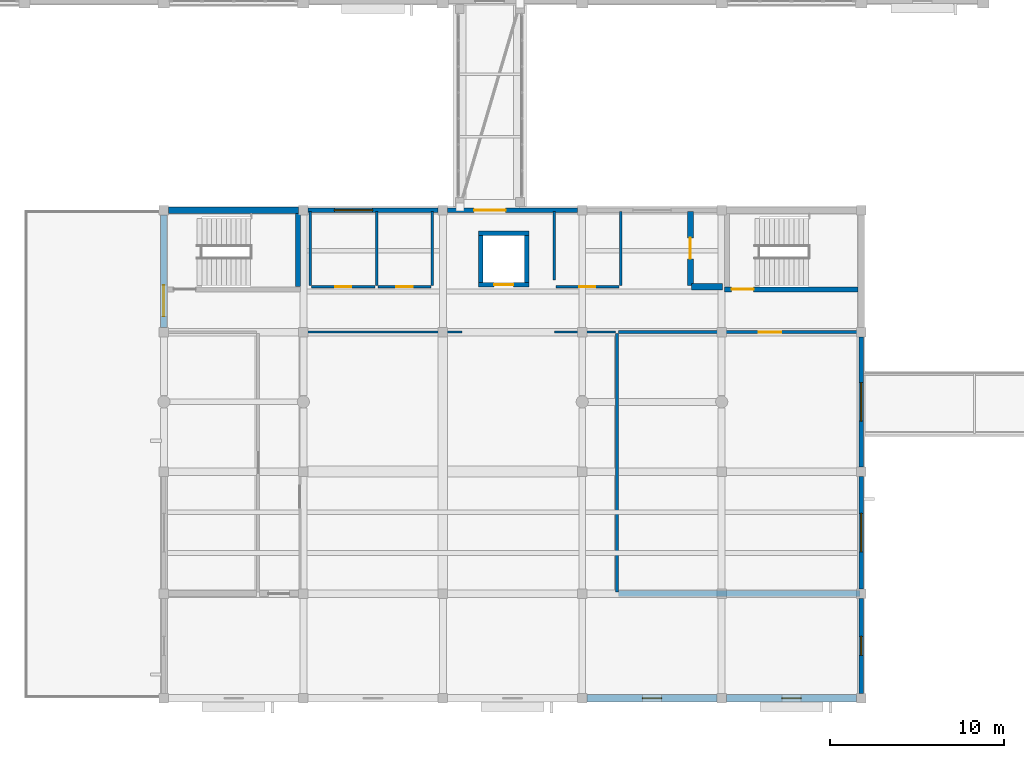
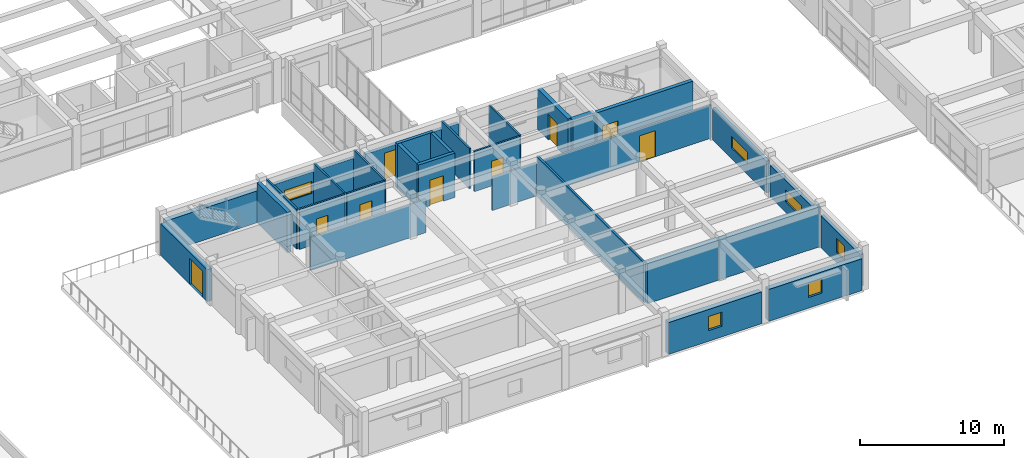
# One storey, part 28 of 42: 30 walls, 9 doors, 6 windows, 15 openings.
"""IFC4 building model written with IfcOpenShell, lengths in metres."""

from ifc_helpers import new_model, si_unit, direction, frame, frame_2d, origin, place, context, subcontext, project, spatial, rectangle, extrude, material, layer, layer_set, type_object, element, fill, save


model = new_model("IFC4")

# Units and contexts
model_context = context("Model", 3, precision=1e-05, world=origin(), true_north=direction((0.0, 1.0)))
body_context = subcontext(model_context, "Body", "Model", "MODEL_VIEW")
ifc_project = project(units=[si_unit("LENGTHUNIT", "METRE"), si_unit("AREAUNIT", "SQUARE_METRE"), si_unit("VOLUMEUNIT", "CUBIC_METRE"), si_unit("PLANEANGLEUNIT", "RADIAN"), si_unit("MASSUNIT", "GRAM", prefix="KILO")], contexts=[model_context])

# Site, building, storey
site_placement = place(None, origin())
site = spatial("IfcSite", under=ifc_project, at=site_placement, CompositionType="ELEMENT")
building_placement = place(site_placement, origin())
building = spatial("IfcBuilding", under=site, at=building_placement, Name="Naurynzar Civic Courthouse", CompositionType="ELEMENT")
storey_placement = place(building_placement, frame((0.0, 0.0, 18.300048828125)))
storey = spatial("IfcBuildingStorey", under=building, at=storey_placement, Name="L05", CompositionType="ELEMENT", Elevation=18.300048828125)

# Wall
ifc_material_1 = material(Name="Concrete C40/50", Category="concrete")
ifc_layer_1 = layer(ifc_material_1, 0.300048828125)
ifc_layer_set_1 = layer_set([ifc_layer_1], Name="WL-CORE-300")
wall_type_1 = type_object("IfcWallType", Name="WL-CORE-300", PredefinedType="SHEAR", material=ifc_layer_set_1)
wall_1_placement = place(storey_placement, frame((84.699951171875, 27.60498046875, 0.0), z_axis=(0.0, 0.0, 1.0), x_axis=(0.0, 1.0, 0.0)))
element("IfcWall", 1, at=wall_1_placement, inside=storey, type_object=wall_type_1, Name="Stair ST-V3A enclosure wall east L05", PredefinedType="SHEAR", context=body_context, shape_type="SweptSolid", body=[
    extrude(rectangle(XDim=4.199951171875, YDim=0.300048828125, at=frame_2d((2.10009765625, 0.0))), origin(), (0.0, 0.0, 1.0), 3.409912109375),
])

# Wall, opening, door
wall_2_placement = place(storey_placement, frame((109.14990234375, 27.449951171875, 0.0), z_axis=(0.0, 0.0, 1.0), x_axis=(1.0, 0.0, 0.0)))
wall_2 = element("IfcWall", 2, at=wall_2_placement, inside=storey, type_object=wall_type_1, Name="Stair ST-V3B enclosure wall south L05", PredefinedType="SHEAR", context=body_context, shape_type="SweptSolid", body=[
    extrude(rectangle(XDim=7.655029296875, YDim=0.300048828125, at=frame_2d((3.82763671875, 0.0))), origin(), (0.0, 0.0, 1.0), 3.409912109375),
])
opening_1_placement = place(wall_2_placement, frame((0.425048828125, 0.0, 0.0)))
opening_1 = element("IfcOpeningElement", 3, at=opening_1_placement, cuts=wall_2, Name="Opening SD-057", PredefinedType="OPENING", context=body_context, shape_type="SweptSolid", body=[
    extrude(rectangle(XDim=1.25, YDim=2.14990234375, at=frame_2d((0.625, 1.074951171875))), frame((0.0, 0.159912109375, 0.0), z_axis=(0.0, -1.0, 0.0), x_axis=(1.0, 0.0, 0.0)), (0.0, 0.0, 1.0), 0.320068359375),
])
ifc_material_2 = material(Name="Powder-Coated Galvanised Steel", Category="steel")
door_type_1 = type_object("IfcDoorType", Name="DR-STAIR-1250x2150", OperationType="NOTDEFINED", PredefinedType="DOOR", material=ifc_material_2)
door_1_placement = place(opening_1_placement, origin())
door_1 = element("IfcDoor", 4, at=door_1_placement, inside=storey, type_object=door_type_1, Name="Stair ST-V3B fire door L05", OperationType="SINGLE_SWING_LEFT", OverallHeight=2.14990234375, OverallWidth=1.25, PredefinedType="DOOR", context=body_context, shape_type="SweptSolid", body=[
    extrude(rectangle(XDim=1.25, YDim=2.14990234375, at=frame_2d((0.625, 1.074951171875))), frame((0.0, 0.02490234375, 0.0), z_axis=(0.0, -1.0, 0.0), x_axis=(1.0, 0.0, 0.0)), (0.0, 0.0, 1.0), 0.050048828125),
])
fill(opening_1, door_1)

# Walls
ifc_material_3 = material(Name="Concrete C40/50", Category="concrete")
ifc_layer_2 = layer(ifc_material_3, 0.35009765625)
ifc_layer_set_2 = layer_set([ifc_layer_2], Name="WL-CORE-350")
wall_type_2 = type_object("IfcWallType", Name="WL-CORE-350", PredefinedType="SHEAR", material=ifc_layer_set_2)
wall_3_placement = place(storey_placement, frame((103.080078125, 10.0, 0.0), z_axis=(0.0, 0.0, 1.0), x_axis=(1.0, 0.0, 0.0)))
element("IfcWall", 5, at=wall_3_placement, inside=storey, type_object=wall_type_2, Name="V3 interior partition L05.575", PredefinedType="SHEAR", context=body_context, shape_type="SweptSolid", body=[
    extrude(rectangle(XDim=13.83984375, YDim=0.35009765625, at=frame_2d((6.919921875, 0.0))), origin(), (0.0, 0.0, 1.0), 3.389892578125),
])
wall_4_placement = place(storey_placement, frame((107.280029296875, 27.60009765625, 0.0), z_axis=(0.0, 0.0, 1.0), x_axis=(1.0, 0.0, 0.0)))
element("IfcWall", 6, at=wall_4_placement, inside=storey, type_object=wall_type_2, Name="V3 interior partition L05.590", PredefinedType="SHEAR", context=body_context, shape_type="SweptSolid", body=[
    extrude(rectangle(XDim=1.77001953125, YDim=0.35009765625, at=frame_2d((0.885009765625, 0.0))), origin(), (0.0, 0.0, 1.0), 3.389892578125),
])

# Wall, opening, door
wall_5_placement = place(storey_placement, frame((107.199951171875, 27.679931640625, 0.0), z_axis=(0.0, 0.0, 1.0), x_axis=(0.0, 1.0, 0.0)))
wall_5 = element("IfcWall", 7, at=wall_5_placement, inside=storey, type_object=wall_type_2, Name="V3 interior partition L05.638", PredefinedType="SHEAR", context=body_context, shape_type="SweptSolid", body=[
    extrude(rectangle(XDim=4.239990234375, YDim=0.35009765625, at=frame_2d((2.1201171875, 0.0))), origin(), (0.0, 0.0, 1.0), 3.389892578125),
])
opening_2_placement = place(wall_5_placement, frame((1.52001953125, 0.0, 0.0)))
opening_2 = element("IfcOpeningElement", 8, at=opening_2_placement, cuts=wall_5, Name="Opening D-256", PredefinedType="OPENING", context=body_context, shape_type="SweptSolid", body=[
    extrude(rectangle(XDim=1.199951171875, YDim=2.14990234375, at=frame_2d((0.60009765625, 1.074951171875))), frame((0.0, 0.18505859375, 0.0), z_axis=(0.0, -1.0, 0.0), x_axis=(1.0, 0.0, 0.0)), (0.0, 0.0, 1.0), 0.3701171875),
])
ifc_material_4 = material(Name="Powder-Coated Galvanised Steel", Category="steel")
door_type_2 = type_object("IfcDoorType", Name="DR-ARCH-1200x2150", OperationType="NOTDEFINED", PredefinedType="DOOR", material=ifc_material_4)
door_2_placement = place(opening_2_placement, origin())
door_2 = element("IfcDoor", 9, at=door_2_placement, inside=storey, type_object=door_type_2, Name="Interior door D-256 (Law Library Book Stacks North L05)", OperationType="SINGLE_SWING_RIGHT", OverallHeight=2.14990234375, OverallWidth=1.199951171875, PredefinedType="DOOR", context=body_context, shape_type="SweptSolid", body=[
    extrude(rectangle(XDim=1.199951171875, YDim=2.14990234375, at=frame_2d((0.60009765625, 1.074951171875))), frame((0.0, 0.02490234375, 0.0), z_axis=(0.0, -1.0, 0.0), x_axis=(1.0, 0.0, 0.0)), (0.0, 0.0, 1.0), 0.050048828125),
])
fill(opening_2, door_2)

# Wall, opening, window
ifc_material_5 = material(Name="Precast concrete C40/50", Category="concrete")
ifc_layer_3 = layer(ifc_material_5, 0.260009765625)
ifc_layer_set_3 = layer_set([ifc_layer_3], Name="WL-EXT-260")
wall_type_3 = type_object("IfcWallType", Name="WL-EXT-260", PredefinedType="SOLIDWALL", material=ifc_layer_set_3)
wall_6_placement = place(storey_placement, frame((85.27490234375, 32.0, 0.0), z_axis=(0.0, 0.0, 1.0), x_axis=(1.0, 0.0, 0.0)))
wall_6 = element("IfcWall", 10, at=wall_6_placement, inside=storey, type_object=wall_type_3, Name="V3 exterior wall north L05.2.1", PredefinedType="SOLIDWALL", context=body_context, shape_type="SweptSolid", body=[
    extrude(rectangle(XDim=7.4501953125, YDim=0.260009765625, at=frame_2d((3.72509765625, 0.0))), origin(), (0.0, 0.0, 1.0), 2.68994140625),
])
opening_3_placement = place(wall_6_placement, frame((1.5048828125, 0.0, 0.89990234375)))
opening_3 = element("IfcOpeningElement", 11, at=opening_3_placement, cuts=wall_6, Name="Opening WN-18", PredefinedType="OPENING", context=body_context, shape_type="SweptSolid", body=[
    extrude(rectangle(XDim=2.199951171875, YDim=1.0, at=frame_2d((1.10009765625, 0.5))), frame((0.0, 0.139892578125, 0.0), z_axis=(0.0, -1.0, 0.0), x_axis=(1.0, 0.0, 0.0)), (0.0, 0.0, 1.0), 0.280029296875),
])
ifc_material_6 = material(Name="Tempered Laminated Low-E Glass", Category="glass")
window_type_1 = type_object("IfcWindowType", Name="WIN-CLER-2200x1000", PartitioningType="DOUBLE_PANEL_VERTICAL", PredefinedType="WINDOW", material=ifc_material_6)
window_1_placement = place(opening_3_placement, origin())
window_1 = element("IfcWindow", 12, at=window_1_placement, inside=storey, type_object=window_type_1, Name="V3 window 192 L05", OverallHeight=1.0, OverallWidth=2.199951171875, PartitioningType="SINGLE_PANEL", PredefinedType="WINDOW", context=body_context, shape_type="SweptSolid", body=[
    extrude(rectangle(XDim=2.199951171875, YDim=1.0, at=frame_2d((1.10009765625, 0.5))), frame((0.0, 0.030029296875, 0.0), z_axis=(0.0, -1.0, 0.0), x_axis=(1.0, 0.0, 0.0)), (0.0, 0.0, 1.0), 0.06005859375),
])
fill(opening_3, window_1)

# Wall, opening, door
wall_7_placement = place(storey_placement, frame((93.27490234375, 32.0, 0.0), z_axis=(0.0, 0.0, 1.0), x_axis=(1.0, 0.0, 0.0)))
wall_7 = element("IfcWall", 13, at=wall_7_placement, inside=storey, type_object=wall_type_3, Name="V3 exterior wall north L05.3.1", PredefinedType="SOLIDWALL", context=body_context, shape_type="SweptSolid", body=[
    extrude(rectangle(XDim=7.4501953125, YDim=0.260009765625, at=frame_2d((3.72509765625, 0.0))), origin(), (0.0, 0.0, 1.0), 2.68994140625),
])
opening_4_placement = place(wall_7_placement, frame((1.52490234375, 0.0, 0.0)))
opening_4 = element("IfcOpeningElement", 14, at=opening_4_placement, cuts=wall_7, Name="Opening BD-27", PredefinedType="OPENING", context=body_context, shape_type="SweptSolid", body=[
    extrude(rectangle(XDim=1.800048828125, YDim=2.25, at=frame_2d((0.89990234375, 1.125))), frame((0.0, 0.139892578125, 0.0), z_axis=(0.0, -1.0, 0.0), x_axis=(1.0, 0.0, 0.0)), (0.0, 0.0, 1.0), 0.280029296875),
])
ifc_material_7 = material(Name="Aluminium 6063-T6", Category="aluminium")
door_type_3 = type_object("IfcDoorType", Name="DR-BRG-1800x2250", OperationType="DOUBLE_DOOR_SINGLE_SWING", PredefinedType="DOOR", material=ifc_material_7)
door_3_placement = place(opening_4_placement, origin())
door_3 = element("IfcDoor", 15, at=door_3_placement, inside=storey, type_object=door_type_3, Name="Seismic bridge fire door BD-27", OperationType="DOUBLE_DOOR_SINGLE_SWING", OverallHeight=2.25, OverallWidth=1.800048828125, PredefinedType="DOOR", context=body_context, shape_type="SweptSolid", body=[
    extrude(rectangle(XDim=1.800048828125, YDim=2.25, at=frame_2d((0.89990234375, 1.125))), frame((0.0, 0.02490234375, 0.0), z_axis=(0.0, -1.0, 0.0), x_axis=(1.0, 0.0, 0.0)), (0.0, 0.0, 1.0), 0.050048828125),
])
fill(opening_4, door_3)

# Wall, opening, window
wall_8_placement = place(storey_placement, frame((117.0, 24.72509765625, 0.0), z_axis=(0.0, 0.0, 1.0), x_axis=(0.0, -1.0, 0.0)))
wall_8 = element("IfcWall", 16, at=wall_8_placement, inside=storey, type_object=wall_type_3, Name="V3 exterior wall east L05.2.1", PredefinedType="SOLIDWALL", context=body_context, shape_type="SweptSolid", body=[
    extrude(rectangle(XDim=7.4501953125, YDim=0.260009765625, at=frame_2d((3.72509765625, 0.0))), origin(), (0.0, 0.0, 1.0), 2.68994140625),
])
opening_5_placement = place(wall_8_placement, frame((2.625, 0.0, 0.89990234375)))
opening_5 = element("IfcOpeningElement", 17, at=opening_5_placement, cuts=wall_8, Name="Opening WN-18", PredefinedType="OPENING", context=body_context, shape_type="SweptSolid", body=[
    extrude(rectangle(XDim=2.199951171875, YDim=1.0, at=frame_2d((1.10009765625, 0.5))), frame((0.0, 0.139892578125, 0.0), z_axis=(0.0, -1.0, 0.0), x_axis=(1.0, 0.0, 0.0)), (0.0, 0.0, 1.0), 0.280029296875),
])
window_2_placement = place(opening_5_placement, origin())
window_2 = element("IfcWindow", 18, at=window_2_placement, inside=storey, type_object=window_type_1, Name="V3 window 194 L05", OverallHeight=1.0, OverallWidth=2.199951171875, PartitioningType="SINGLE_PANEL", PredefinedType="WINDOW", context=body_context, shape_type="SweptSolid", body=[
    extrude(rectangle(XDim=2.199951171875, YDim=1.0, at=frame_2d((1.10009765625, 0.5))), frame((0.0, 0.030029296875, 0.0), z_axis=(0.0, -1.0, 0.0), x_axis=(1.0, 0.0, 0.0)), (0.0, 0.0, 1.0), 0.06005859375),
])
fill(opening_5, window_2)

wall_9_placement = place(storey_placement, frame((117.0, 16.72509765625, 0.0), z_axis=(0.0, 0.0, 1.0), x_axis=(0.0, -1.0, 0.0)))
wall_9 = element("IfcWall", 19, at=wall_9_placement, inside=storey, type_object=wall_type_3, Name="V3 exterior wall east L05.3.1", PredefinedType="SOLIDWALL", context=body_context, shape_type="SweptSolid", body=[
    extrude(rectangle(XDim=6.4501953125, YDim=0.260009765625, at=frame_2d((3.22509765625, 0.0))), origin(), (0.0, 0.0, 1.0), 2.68994140625),
])
opening_6_placement = place(wall_9_placement, frame((2.125, 0.0, 0.89990234375)))
opening_6 = element("IfcOpeningElement", 20, at=opening_6_placement, cuts=wall_9, Name="Opening WN-18", PredefinedType="OPENING", context=body_context, shape_type="SweptSolid", body=[
    extrude(rectangle(XDim=2.199951171875, YDim=1.0, at=frame_2d((1.10009765625, 0.5))), frame((0.0, 0.139892578125, 0.0), z_axis=(0.0, -1.0, 0.0), x_axis=(1.0, 0.0, 0.0)), (0.0, 0.0, 1.0), 0.280029296875),
])
window_3_placement = place(opening_6_placement, origin())
window_3 = element("IfcWindow", 21, at=window_3_placement, inside=storey, type_object=window_type_1, Name="V3 window 195 L05", OverallHeight=1.0, OverallWidth=2.199951171875, PartitioningType="SINGLE_PANEL", PredefinedType="WINDOW", context=body_context, shape_type="SweptSolid", body=[
    extrude(rectangle(XDim=2.199951171875, YDim=1.0, at=frame_2d((1.10009765625, 0.5))), frame((0.0, 0.030029296875, 0.0), z_axis=(0.0, -1.0, 0.0), x_axis=(1.0, 0.0, 0.0)), (0.0, 0.0, 1.0), 0.06005859375),
])
fill(opening_6, window_3)

wall_10_placement = place(storey_placement, frame((117.0, 9.72509765625, 0.0), z_axis=(0.0, 0.0, 1.0), x_axis=(0.0, -1.0, 0.0)))
wall_10 = element("IfcWall", 22, at=wall_10_placement, inside=storey, type_object=wall_type_3, Name="V3 exterior wall east L05.4.1", PredefinedType="SOLIDWALL", context=body_context, shape_type="SweptSolid", body=[
    extrude(rectangle(XDim=5.4501953125, YDim=0.260009765625, at=frame_2d((2.72509765625, 0.0))), origin(), (0.0, 0.0, 1.0), 2.68994140625),
])
opening_7_placement = place(wall_10_placement, frame((2.175048828125, 0.0, 0.89990234375)))
opening_7 = element("IfcOpeningElement", 23, at=opening_7_placement, cuts=wall_10, Name="Opening WN-15", PredefinedType="OPENING", context=body_context, shape_type="SweptSolid", body=[
    extrude(rectangle(XDim=1.10009765625, YDim=1.199951171875, at=frame_2d((0.550048828125, 0.60009765625))), frame((0.0, 0.139892578125, 0.0), z_axis=(0.0, -1.0, 0.0), x_axis=(1.0, 0.0, 0.0)), (0.0, 0.0, 1.0), 0.280029296875),
])
ifc_material_8 = material(Name="Tempered Laminated Low-E Glass", Category="glass")
window_type_2 = type_object("IfcWindowType", Name="WIN-SEC-1100x1200", PartitioningType="SINGLE_PANEL", PredefinedType="WINDOW", material=ifc_material_8)
window_4_placement = place(opening_7_placement, origin())
window_4 = element("IfcWindow", 24, at=window_4_placement, inside=storey, type_object=window_type_2, Name="V3 window 196 L05", OverallHeight=1.199951171875, OverallWidth=1.10009765625, PartitioningType="SINGLE_PANEL", PredefinedType="WINDOW", context=body_context, shape_type="SweptSolid", body=[
    extrude(rectangle(XDim=1.10009765625, YDim=1.199951171875, at=frame_2d((0.550048828125, 0.60009765625))), frame((0.0, 0.030029296875, 0.0), z_axis=(0.0, -1.0, 0.0), x_axis=(1.0, 0.0, 0.0)), (0.0, 0.0, 1.0), 0.06005859375),
])
fill(opening_7, window_4)

# Wall, opening, door
ifc_material_9 = material(Name="Insulated Metal-Stud Gypsum Partition")
ifc_layer_4 = layer(ifc_material_9, 0.159912109375)
ifc_layer_set_4 = layer_set([ifc_layer_4], Name="WL-PART-CHAMB-160")
wall_type_4 = type_object("IfcWallType", Name="WL-PART-CHAMB-160", PredefinedType="PARTITIONING", material=ifc_layer_set_4)
wall_11_placement = place(storey_placement, frame((103.080078125, 25.0, 0.0), z_axis=(0.0, 0.0, 1.0), x_axis=(1.0, 0.0, 0.0)))
wall_11 = element("IfcWall", 25, at=wall_11_placement, inside=storey, type_object=wall_type_4, Name="V3 interior partition L05.583", PredefinedType="PARTITIONING", context=body_context, shape_type="SweptSolid", body=[
    extrude(rectangle(XDim=13.83984375, YDim=0.159912109375, at=frame_2d((6.919921875, 0.0))), origin(), (0.0, 0.0, 1.0), 2.81005859375),
])
opening_8_placement = place(wall_11_placement, frame((8.05908203125, 0.0, 0.0)))
opening_8 = element("IfcOpeningElement", 26, at=opening_8_placement, cuts=wall_11, Name="Opening D-259", PredefinedType="OPENING", context=body_context, shape_type="SweptSolid", body=[
    extrude(rectangle(XDim=1.280029296875, YDim=2.199951171875, at=frame_2d((0.64013671875, 1.10009765625))), frame((0.0, 0.08984375, 0.0), z_axis=(0.0, -1.0, 0.0), x_axis=(1.0, 0.0, 0.0)), (0.0, 0.0, 1.0), 0.179931640625),
])
ifc_material_10 = material(Name="Acoustic Oak Timber Grade A", Category="wood")
door_type_4 = type_object("IfcDoorType", Name="DR-SUITE-1280x2200", OperationType="NOTDEFINED", PredefinedType="DOOR", material=ifc_material_10)
door_4_placement = place(opening_8_placement, origin())
door_4 = element("IfcDoor", 27, at=door_4_placement, inside=storey, type_object=door_type_4, Name="Interior door D-259 (Comparative Jurisprudence Chamber)", OperationType="SINGLE_SWING_LEFT", OverallHeight=2.199951171875, OverallWidth=1.280029296875, PredefinedType="DOOR", context=body_context, shape_type="SweptSolid", body=[
    extrude(rectangle(XDim=1.280029296875, YDim=2.199951171875, at=frame_2d((0.64013671875, 1.10009765625))), frame((0.0, 0.02490234375, 0.0), z_axis=(0.0, -1.0, 0.0), x_axis=(1.0, 0.0, 0.0)), (0.0, 0.0, 1.0), 0.050048828125),
])
fill(opening_8, door_4)

# Walls
wall_12_placement = place(storey_placement, frame((103.0, 10.080078125, 0.0), z_axis=(0.0, 0.0, 1.0), x_axis=(0.0, 1.0, 0.0)))
element("IfcWall", 28, at=wall_12_placement, inside=storey, type_object=wall_type_4, Name="V3 interior partition L05.636", PredefinedType="PARTITIONING", context=body_context, shape_type="SweptSolid", body=[
    extrude(rectangle(XDim=14.83984375, YDim=0.159912109375, at=frame_2d((7.419921875, 0.0))), origin(), (0.0, 0.0, 1.0), 3.389892578125),
])
ifc_material_11 = material(Name="Metal-Stud Gypsum Partition")
ifc_layer_5 = layer(ifc_material_11, 0.125)
ifc_layer_set_5 = layer_set([ifc_layer_5], Name="WL-PART-STD-125")
wall_type_5 = type_object("IfcWallType", Name="WL-PART-STD-125", PredefinedType="PARTITIONING", material=ifc_layer_set_5)
wall_13_placement = place(storey_placement, frame((84.8798828125, 25.0, 0.0), z_axis=(0.0, 0.0, 1.0), x_axis=(1.0, 0.0, 0.0)))
element("IfcWall", 29, at=wall_13_placement, inside=storey, type_object=wall_type_5, Name="V3 interior partition L05.581", PredefinedType="PARTITIONING", context=body_context, shape_type="SweptSolid", body=[
    extrude(rectangle(XDim=9.22021484375, YDim=0.125, at=frame_2d((4.610107421875, 0.0))), origin(), (0.0, 0.0, 1.0), 2.81005859375),
])
wall_14_placement = place(storey_placement, frame((99.39990234375, 25.0, 0.0), z_axis=(0.0, 0.0, 1.0), x_axis=(1.0, 0.0, 0.0)))
element("IfcWall", 30, at=wall_14_placement, inside=storey, type_object=wall_type_5, Name="V3 interior partition L05.582", PredefinedType="PARTITIONING", context=body_context, shape_type="SweptSolid", body=[
    extrude(rectangle(XDim=3.52001953125, YDim=0.125, at=frame_2d((1.760009765625, 0.0))), origin(), (0.0, 0.0, 1.0), 2.81005859375),
])

# Wall, opening, door
ifc_material_12 = material(Name="Moisture-Resistant Plumbing Partition")
ifc_layer_6 = layer(ifc_material_12, 0.139892578125)
ifc_layer_set_6 = layer_set([ifc_layer_6], Name="WL-PART-WC-140")
wall_type_6 = type_object("IfcWallType", Name="WL-PART-WC-140", PredefinedType="PLUMBINGWALL", material=ifc_layer_set_6)
wall_15_placement = place(storey_placement, frame((85.47998046875, 27.60009765625, 0.0), z_axis=(0.0, 0.0, 1.0), x_axis=(1.0, 0.0, 0.0)))
wall_15 = element("IfcWall", 31, at=wall_15_placement, inside=storey, type_object=wall_type_6, Name="V3 interior partition L05.587", PredefinedType="PLUMBINGWALL", context=body_context, shape_type="SweptSolid", body=[
    extrude(rectangle(XDim=3.64013671875, YDim=0.139892578125, at=frame_2d((1.820068359375, 0.0))), origin(), (0.0, 0.0, 1.0), 3.389892578125),
])
opening_9_placement = place(wall_15_placement, frame((1.360107421875, 0.0, 0.0)))
opening_9 = element("IfcOpeningElement", 32, at=opening_9_placement, cuts=wall_15, Name="Opening D-252", PredefinedType="OPENING", context=body_context, shape_type="SweptSolid", body=[
    extrude(rectangle(XDim=0.919921875, YDim=2.10009765625, at=frame_2d((0.4599609375, 1.050048828125))), frame((0.0, 0.079833984375, 0.0), z_axis=(0.0, -1.0, 0.0), x_axis=(1.0, 0.0, 0.0)), (0.0, 0.0, 1.0), 0.159912109375),
])
ifc_material_13 = material(Name="Acoustic Oak Timber Grade A", Category="wood")
door_type_5 = type_object("IfcDoorType", Name="DR-WC-STD-920x2100", OperationType="NOTDEFINED", PredefinedType="DOOR", material=ifc_material_13)
door_5_placement = place(opening_9_placement, origin())
door_5 = element("IfcDoor", 33, at=door_5_placement, inside=storey, type_object=door_type_5, Name="Interior door D-252 (Public WC V3)", OperationType="SINGLE_SWING_RIGHT", OverallHeight=2.10009765625, OverallWidth=0.919921875, PredefinedType="DOOR", context=body_context, shape_type="SweptSolid", body=[
    extrude(rectangle(XDim=0.919921875, YDim=2.10009765625, at=frame_2d((0.4599609375, 1.050048828125))), frame((0.0, 0.02490234375, 0.0), z_axis=(0.0, -1.0, 0.0), x_axis=(1.0, 0.0, 0.0)), (0.0, 0.0, 1.0), 0.050048828125),
])
fill(opening_9, door_5)

wall_16_placement = place(storey_placement, frame((89.280029296875, 27.60009765625, 0.0), z_axis=(0.0, 0.0, 1.0), x_axis=(1.0, 0.0, 0.0)))
wall_16 = element("IfcWall", 34, at=wall_16_placement, inside=storey, type_object=wall_type_6, Name="V3 interior partition L05.588", PredefinedType="PLUMBINGWALL", context=body_context, shape_type="SweptSolid", body=[
    extrude(rectangle(XDim=3.0400390625, YDim=0.139892578125, at=frame_2d((1.52001953125, 0.0))), origin(), (0.0, 0.0, 1.0), 3.389892578125),
])
opening_10_placement = place(wall_16_placement, frame((1.0400390625, 0.0, 0.0)))
opening_10 = element("IfcOpeningElement", 35, at=opening_10_placement, cuts=wall_16, Name="Opening D-253", PredefinedType="OPENING", context=body_context, shape_type="SweptSolid", body=[
    extrude(rectangle(XDim=0.9599609375, YDim=2.10009765625, at=frame_2d((0.47998046875, 1.050048828125))), frame((0.0, 0.079833984375, 0.0), z_axis=(0.0, -1.0, 0.0), x_axis=(1.0, 0.0, 0.0)), (0.0, 0.0, 1.0), 0.159912109375),
])
ifc_material_14 = material(Name="Acoustic Oak Timber Grade A", Category="wood")
door_type_6 = type_object("IfcDoorType", Name="DR-WC-ACC-960x2100", OperationType="NOTDEFINED", PredefinedType="DOOR", material=ifc_material_14)
door_6_placement = place(opening_10_placement, origin())
door_6 = element("IfcDoor", 36, at=door_6_placement, inside=storey, type_object=door_type_6, Name="Interior door D-253 (Accessible WC V3)", OperationType="SINGLE_SWING_LEFT", OverallHeight=2.10009765625, OverallWidth=0.9599609375, PredefinedType="DOOR", context=body_context, shape_type="SweptSolid", body=[
    extrude(rectangle(XDim=0.9599609375, YDim=2.10009765625, at=frame_2d((0.47998046875, 1.050048828125))), frame((0.0, 0.02490234375, 0.0), z_axis=(0.0, -1.0, 0.0), x_axis=(1.0, 0.0, 0.0)), (0.0, 0.0, 1.0), 0.050048828125),
])
fill(opening_10, door_6)

wall_17_placement = place(storey_placement, frame((99.47998046875, 27.60009765625, 0.0), z_axis=(0.0, 0.0, 1.0), x_axis=(1.0, 0.0, 0.0)))
wall_17 = element("IfcWall", 37, at=wall_17_placement, inside=storey, type_object=wall_type_6, Name="V3 interior partition L05.589", PredefinedType="PLUMBINGWALL", context=body_context, shape_type="SweptSolid", body=[
    extrude(rectangle(XDim=3.64013671875, YDim=0.139892578125, at=frame_2d((1.820068359375, 0.0))), origin(), (0.0, 0.0, 1.0), 3.389892578125),
])
opening_11_placement = place(wall_17_placement, frame((1.360107421875, 0.0, 0.0)))
opening_11 = element("IfcOpeningElement", 38, at=opening_11_placement, cuts=wall_17, Name="Opening D-254", PredefinedType="OPENING", context=body_context, shape_type="SweptSolid", body=[
    extrude(rectangle(XDim=0.919921875, YDim=2.10009765625, at=frame_2d((0.4599609375, 1.050048828125))), frame((0.0, 0.079833984375, 0.0), z_axis=(0.0, -1.0, 0.0), x_axis=(1.0, 0.0, 0.0)), (0.0, 0.0, 1.0), 0.159912109375),
])
door_7_placement = place(opening_11_placement, origin())
door_7 = element("IfcDoor", 39, at=door_7_placement, inside=storey, type_object=door_type_5, Name="Interior door D-254 (Staff WC V3)", OperationType="SINGLE_SWING_RIGHT", OverallHeight=2.10009765625, OverallWidth=0.919921875, PredefinedType="DOOR", context=body_context, shape_type="SweptSolid", body=[
    extrude(rectangle(XDim=0.919921875, YDim=2.10009765625, at=frame_2d((0.4599609375, 1.050048828125))), frame((0.0, 0.02490234375, 0.0), z_axis=(0.0, -1.0, 0.0), x_axis=(1.0, 0.0, 0.0)), (0.0, 0.0, 1.0), 0.050048828125),
])
fill(opening_11, door_7)

# Walls
for number, where, z_axis, x_axis, name in (
    (40, (85.39990234375, 27.679931640625, 0.0), (0.0, 0.0, 1.0), (0.0, 1.0, 0.0), "V3 interior partition L05.627"),
    (41, (89.199951171875, 27.679931640625, 0.0), (0.0, 0.0, 1.0), (0.0, 1.0, 0.0), "V3 interior partition L05.629"),
    (42, (92.39990234375, 27.679931640625, 0.0), (0.0, 0.0, 1.0), (0.0, 1.0, 0.0), "V3 interior partition L05.630"),
):
    element("IfcWall", number, at=place(storey_placement, frame(where, z_axis=z_axis, x_axis=x_axis)), inside=storey, type_object=wall_type_6, Name=name, PredefinedType="PLUMBINGWALL", context=body_context, shape_type="SweptSolid", body=[
        extrude(rectangle(XDim=4.239990234375, YDim=0.139892578125, at=frame_2d((2.1201171875, 0.0))), origin(), (0.0, 0.0, 1.0), 3.389892578125),
    ])
wall_18_placement = place(storey_placement, frame((99.39990234375, 28.0, 0.0), z_axis=(0.0, 0.0, 1.0), x_axis=(0.0, 1.0, 0.0)))
element("IfcWall", 43, at=wall_18_placement, inside=storey, type_object=wall_type_6, Name="V3 interior partition L05.634", PredefinedType="PLUMBINGWALL", context=body_context, shape_type="SweptSolid", body=[
    extrude(rectangle(XDim=3.919921875, YDim=0.139892578125, at=frame_2d((1.9599609375, 0.0))), origin(), (0.0, 0.0, 1.0), 3.389892578125),
])
wall_19_placement = place(storey_placement, frame((103.199951171875, 27.679931640625, 0.0), z_axis=(0.0, 0.0, 1.0), x_axis=(0.0, 1.0, 0.0)))
element("IfcWall", 44, at=wall_19_placement, inside=storey, type_object=wall_type_6, Name="V3 interior partition L05.637", PredefinedType="PLUMBINGWALL", context=body_context, shape_type="SweptSolid", body=[
    extrude(rectangle(XDim=4.239990234375, YDim=0.139892578125, at=frame_2d((2.1201171875, 0.0))), origin(), (0.0, 0.0, 1.0), 3.389892578125),
])

# Wall, opening, door
ifc_material_15 = material(Name="Concrete C40/50", Category="concrete")
ifc_layer_7 = layer(ifc_material_15, 0.3798828125)
ifc_layer_set_7 = layer_set([ifc_layer_7], Name="WL-RET-380")
wall_type_7 = type_object("IfcWallType", Name="WL-RET-380", PredefinedType="STANDARD", material=ifc_layer_set_7)
wall_20_placement = place(storey_placement, frame((77.0, 25.27490234375, 0.0), z_axis=(0.0, 0.0, 1.0), x_axis=(0.0, 1.0, 0.0)))
wall_20 = element("IfcWall", 45, at=wall_20_placement, inside=storey, type_object=wall_type_7, Name="V3 exterior wall west L05.4.1", PredefinedType="STANDARD", context=body_context, shape_type="SweptSolid", body=[
    extrude(rectangle(XDim=6.4501953125, YDim=0.3798828125, at=frame_2d((3.22509765625, 0.0))), origin(), (0.0, 0.0, 1.0), 2.68994140625),
])
opening_12_placement = place(wall_20_placement, frame((0.625, 0.0, 0.0)))
opening_12 = element("IfcOpeningElement", 46, at=opening_12_placement, cuts=wall_20, Name="Opening TD-03", PredefinedType="OPENING", context=body_context, shape_type="SweptSolid", body=[
    extrude(rectangle(XDim=1.800048828125, YDim=2.199951171875, at=frame_2d((0.89990234375, 1.10009765625))), frame((0.0, 0.199951171875, 0.0), z_axis=(0.0, -1.0, 0.0), x_axis=(1.0, 0.0, 0.0)), (0.0, 0.0, 1.0), 0.39990234375),
])
ifc_material_16 = material(Name="Aluminium 6063-T6", Category="aluminium")
door_type_7 = type_object("IfcDoorType", Name="DR-TERR-1800x2200", OperationType="DOUBLE_DOOR_SINGLE_SWING", PredefinedType="DOOR", material=ifc_material_16)
door_8_placement = place(opening_12_placement, origin())
door_8 = element("IfcDoor", 47, at=door_8_placement, inside=storey, type_object=door_type_7, Name="Roof garden terrace door TD-03", OperationType="DOUBLE_DOOR_SINGLE_SWING", OverallHeight=2.199951171875, OverallWidth=1.800048828125, PredefinedType="DOOR", context=body_context, shape_type="SweptSolid", body=[
    extrude(rectangle(XDim=1.800048828125, YDim=2.199951171875, at=frame_2d((0.89990234375, 1.10009765625))), frame((0.0, 0.02490234375, 0.0), z_axis=(0.0, -1.0, 0.0), x_axis=(1.0, 0.0, 0.0)), (0.0, 0.0, 1.0), 0.050048828125),
])
fill(opening_12, door_8)

# Wall
wall_21_placement = place(storey_placement, frame((77.27490234375, 32.0, 0.0), z_axis=(0.0, 0.0, 1.0), x_axis=(1.0, 0.0, 0.0)))
element("IfcWall", 48, at=wall_21_placement, inside=storey, type_object=wall_type_7, Name="V3 exterior wall north L05.1.1", PredefinedType="STANDARD", context=body_context, shape_type="SweptSolid", body=[
    extrude(rectangle(XDim=7.4501953125, YDim=0.3798828125, at=frame_2d((3.72509765625, 0.0))), origin(), (0.0, 0.0, 1.0), 2.68994140625),
])

# Wall, opening, door
ifc_material_17 = material(Name="Concrete C40/50", Category="concrete")
ifc_layer_8 = layer(ifc_material_17, 0.25)
ifc_layer_set_8 = layer_set([ifc_layer_8], Name="WL-SHAFT-250")
wall_type_8 = type_object("IfcWallType", Name="WL-SHAFT-250", PredefinedType="SHEAR", material=ifc_layer_set_8)
wall_22_placement = place(storey_placement, frame((95.050048828125, 27.72509765625, 0.0), z_axis=(0.0, 0.0, 1.0), x_axis=(1.0, 0.0, 0.0)))
wall_22 = element("IfcWall", 49, at=wall_22_placement, inside=storey, type_object=wall_type_8, Name="Lift LP-04 shaft wall south L05", PredefinedType="SHEAR", context=body_context, shape_type="SweptSolid", body=[
    extrude(rectangle(XDim=2.89990234375, YDim=0.25, at=frame_2d((1.449951171875, 0.0))), origin(), (0.0, 0.0, 1.0), 3.75),
])
opening_13_placement = place(wall_22_placement, frame((0.89990234375, 0.0, 0.0)))
opening_13 = element("IfcOpeningElement", 50, at=opening_13_placement, cuts=wall_22, Name="Opening LD-066", PredefinedType="OPENING", context=body_context, shape_type="SweptSolid", body=[
    extrude(rectangle(XDim=1.10009765625, YDim=2.14990234375, at=frame_2d((0.550048828125, 1.074951171875))), frame((0.0, 0.135009765625, 0.0), z_axis=(0.0, -1.0, 0.0), x_axis=(1.0, 0.0, 0.0)), (0.0, 0.0, 1.0), 0.27001953125),
])
ifc_material_18 = material(Name="Brushed Stainless Steel 304", Category="steel")
door_type_8 = type_object("IfcDoorType", Name="DR-LIFT-SLIDE-1100x2150", OperationType="DOUBLE_DOOR_SLIDING", PredefinedType="DOOR", material=ifc_material_18)
door_9_placement = place(opening_13_placement, origin())
door_9 = element("IfcDoor", 51, at=door_9_placement, inside=storey, type_object=door_type_8, Name="Lift LP-04 sliding landing door L05", OperationType="DOUBLE_DOOR_SLIDING", OverallHeight=2.14990234375, OverallWidth=1.10009765625, PredefinedType="DOOR", context=body_context, shape_type="SweptSolid", body=[
    extrude(rectangle(XDim=1.10009765625, YDim=2.14990234375, at=frame_2d((0.550048828125, 1.074951171875))), frame((0.0, 0.02490234375, 0.0), z_axis=(0.0, -1.0, 0.0), x_axis=(1.0, 0.0, 0.0)), (0.0, 0.0, 1.0), 0.050048828125),
])
fill(opening_13, door_9)

# Walls
wall_23_placement = place(storey_placement, frame((97.949951171875, 30.675048828125, 0.0), z_axis=(0.0, 0.0, 1.0), x_axis=(-1.0, 0.0, 0.0)))
element("IfcWall", 52, at=wall_23_placement, inside=storey, type_object=wall_type_8, Name="Lift LP-04 shaft wall north L05", PredefinedType="SHEAR", context=body_context, shape_type="SweptSolid", body=[
    extrude(rectangle(XDim=2.89990234375, YDim=0.25, at=frame_2d((1.449951171875, 0.0))), origin(), (0.0, 0.0, 1.0), 3.75),
])
for number, where, z_axis, x_axis, name in (
    (53, (95.175048828125, 30.544921875, 0.0), (0.0, 0.0, 1.0), (0.0, -1.0, 0.0), "Lift LP-04 shaft wall west L05"),
    (54, (97.824951171875, 27.85498046875, 0.0), (0.0, 0.0, 1.0), (0.0, 1.0, 0.0), "Lift LP-04 shaft wall east L05"),
):
    element("IfcWall", number, at=place(storey_placement, frame(where, z_axis=z_axis, x_axis=x_axis)), inside=storey, type_object=wall_type_8, Name=name, PredefinedType="SHEAR", context=body_context, shape_type="SweptSolid", body=[
        extrude(rectangle(XDim=2.68994140625, YDim=0.25, at=frame_2d((1.344970703125, 0.0))), origin(), (0.0, 0.0, 1.0), 3.75),
    ])

# Wall, opening, window
ifc_material_19 = material(Name="Concrete C40/50", Category="concrete")
ifc_layer_9 = layer(ifc_material_19, 0.419921875)
ifc_layer_set_9 = layer_set([ifc_layer_9], Name="WL-STACK-420")
wall_type_9 = type_object("IfcWallType", Name="WL-STACK-420", PredefinedType="SOLIDWALL", material=ifc_layer_set_9)
wall_24_placement = place(storey_placement, frame((116.72509765625, 4.0, 0.0), z_axis=(0.0, 0.0, 1.0), x_axis=(-1.0, 0.0, 0.0)))
wall_24 = element("IfcWall", 55, at=wall_24_placement, inside=storey, type_object=wall_type_9, Name="V3 exterior wall south L05.1.1", PredefinedType="SOLIDWALL", context=body_context, shape_type="SweptSolid", body=[
    extrude(rectangle(XDim=7.4501953125, YDim=0.419921875, at=frame_2d((3.72509765625, 0.0))), origin(), (0.0, 0.0, 1.0), 2.68994140625),
])
opening_14_placement = place(wall_24_placement, frame((3.175048828125, 0.0, 0.89990234375)))
opening_14 = element("IfcOpeningElement", 56, at=opening_14_placement, cuts=wall_24, Name="Opening WN-15", PredefinedType="OPENING", context=body_context, shape_type="SweptSolid", body=[
    extrude(rectangle(XDim=1.10009765625, YDim=1.199951171875, at=frame_2d((0.550048828125, 0.60009765625))), frame((0.0, 0.219970703125, 0.0), z_axis=(0.0, -1.0, 0.0), x_axis=(1.0, 0.0, 0.0)), (0.0, 0.0, 1.0), 0.43994140625),
])
window_5_placement = place(opening_14_placement, origin())
window_5 = element("IfcWindow", 57, at=window_5_placement, inside=storey, type_object=window_type_2, Name="V3 window 197 L05", OverallHeight=1.199951171875, OverallWidth=1.10009765625, PartitioningType="SINGLE_PANEL", PredefinedType="WINDOW", context=body_context, shape_type="SweptSolid", body=[
    extrude(rectangle(XDim=1.10009765625, YDim=1.199951171875, at=frame_2d((0.550048828125, 0.60009765625))), frame((0.0, 0.030029296875, 0.0), z_axis=(0.0, -1.0, 0.0), x_axis=(1.0, 0.0, 0.0)), (0.0, 0.0, 1.0), 0.06005859375),
])
fill(opening_14, window_5)

wall_25_placement = place(storey_placement, frame((108.72509765625, 4.0, 0.0), z_axis=(0.0, 0.0, 1.0), x_axis=(-1.0, 0.0, 0.0)))
wall_25 = element("IfcWall", 58, at=wall_25_placement, inside=storey, type_object=wall_type_9, Name="V3 exterior wall south L05.2.1", PredefinedType="SOLIDWALL", context=body_context, shape_type="SweptSolid", body=[
    extrude(rectangle(XDim=7.4501953125, YDim=0.419921875, at=frame_2d((3.72509765625, 0.0))), origin(), (0.0, 0.0, 1.0), 2.68994140625),
])
opening_15_placement = place(wall_25_placement, frame((3.175048828125, 0.0, 0.89990234375)))
opening_15 = element("IfcOpeningElement", 59, at=opening_15_placement, cuts=wall_25, Name="Opening WN-15", PredefinedType="OPENING", context=body_context, shape_type="SweptSolid", body=[
    extrude(rectangle(XDim=1.10009765625, YDim=1.199951171875, at=frame_2d((0.550048828125, 0.60009765625))), frame((0.0, 0.219970703125, 0.0), z_axis=(0.0, -1.0, 0.0), x_axis=(1.0, 0.0, 0.0)), (0.0, 0.0, 1.0), 0.43994140625),
])
window_6_placement = place(opening_15_placement, origin())
window_6 = element("IfcWindow", 60, at=window_6_placement, inside=storey, type_object=window_type_2, Name="V3 window 198 L05", OverallHeight=1.199951171875, OverallWidth=1.10009765625, PartitioningType="SINGLE_PANEL", PredefinedType="WINDOW", context=body_context, shape_type="SweptSolid", body=[
    extrude(rectangle(XDim=1.10009765625, YDim=1.199951171875, at=frame_2d((0.550048828125, 0.60009765625))), frame((0.0, 0.030029296875, 0.0), z_axis=(0.0, -1.0, 0.0), x_axis=(1.0, 0.0, 0.0)), (0.0, 0.0, 1.0), 0.06005859375),
])
fill(opening_15, window_6)

save(model, "model.ifc")
